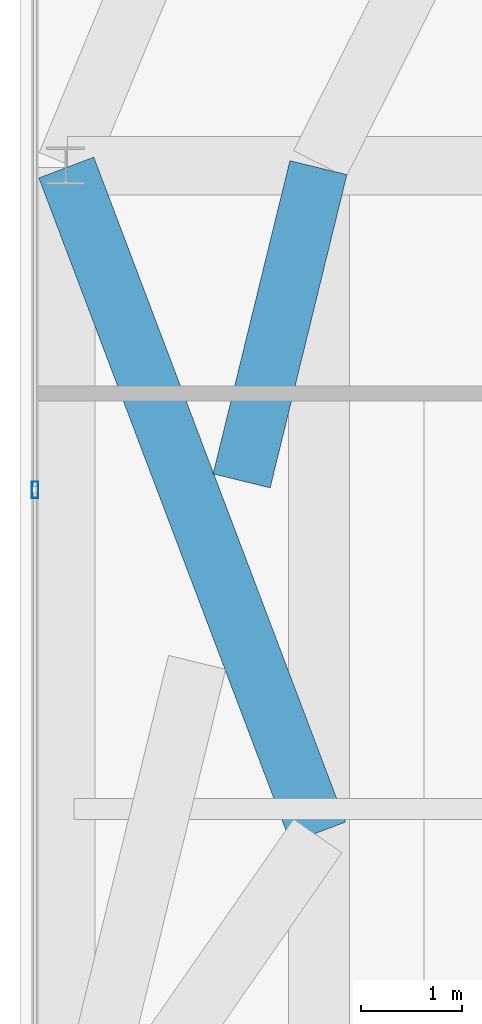
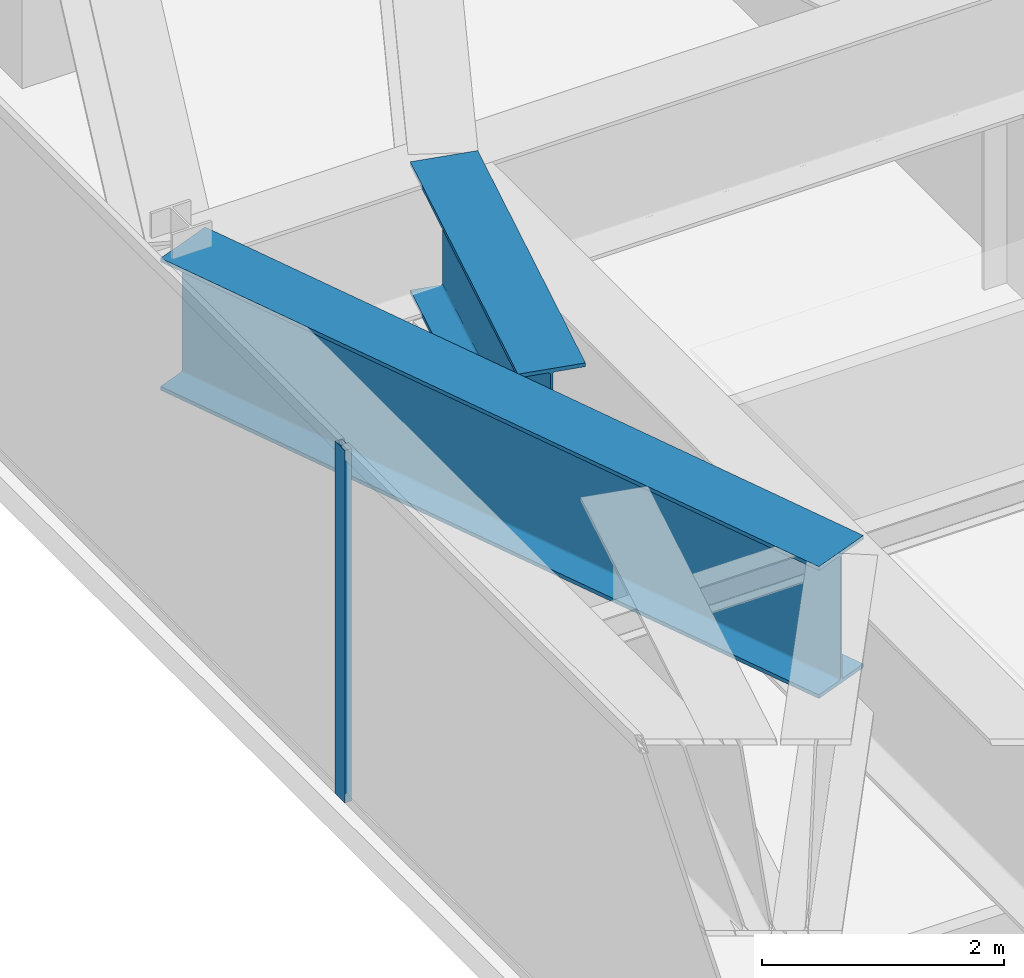
# One storey, part 11 of 26: 2 beams, 1 member, 1 element without a shape of its own.
"""IFC4 building model written with IfcOpenShell, lengths in metres."""

from ifc_helpers import new_model, si_unit, direction, frame, origin, origin_2d, place, context, subcontext, project, spatial, hollow_rectangle, i_section, extrude, source, transform, mapped, material, layer, layer_set, material_profile, profile_set, type_object, type_shapes, element, aggregate, save


model = new_model("IFC4")

# Units and contexts
model_context = context("Model", 3, precision=1e-05, world=origin(), true_north=direction((0.0, 1.0)))
body_context = subcontext(model_context, "Body", "Model", "MODEL_VIEW")
ifc_project = project(units=[si_unit("LENGTHUNIT", "METRE"), si_unit("AREAUNIT", "SQUARE_METRE"), si_unit("VOLUMEUNIT", "CUBIC_METRE"), si_unit("PLANEANGLEUNIT", "RADIAN"), si_unit("MASSUNIT", "GRAM", prefix="KILO")], contexts=[model_context])

# Site, building, storey
site_placement = place(None, origin())
site = spatial("IfcSite", under=ifc_project, at=site_placement, CompositionType="ELEMENT")
building_placement = place(site_placement, origin())
building = spatial("IfcBuilding", under=site, at=building_placement, Name="Varnel Quay Broadcast Tower", CompositionType="ELEMENT")
storey_placement = place(building_placement, frame((0.0, 0.0, 196.0)))
storey = spatial("IfcBuildingStorey", under=building, at=storey_placement, Name="L48", CompositionType="ELEMENT", Elevation=196.0)

# Beams
ifc_material_1 = material(Name="Structural Steel CSA G40.21 350WT", Category="steel")
ifc_material_profile_1 = material_profile(ifc_material_1, i_section(OverallWidth=0.580078125, OverallDepth=1.330078125, WebThickness=0.02197265625, FlangeThickness=0.0380859375, FilletRadius=0.02001953125, at=origin_2d()), Name="WWF1330X535")
ifc_profile_set_1 = profile_set([ifc_material_profile_1], Name="Structural Steel CSA G40.21 350WT")
beam_type = type_object("IfcBeamType", Name="Girder_WWF1330X535", PredefinedType="BEAM", material=ifc_profile_set_1)
shared_shape_1 = source(origin(), body_context, "Body", "SweptSolid", [
    extrude(i_section(OverallWidth=0.580078125, OverallDepth=1.330078125, WebThickness=0.02197265625, FlangeThickness=0.0380859375, FilletRadius=0.02001953125, at=origin_2d()), origin(), (0.0, 0.0, 1.0), 7.017578125),
])
beam_1_placement = place(storey_placement, frame((7.45703125, 35.581298828125, 2.885009765625), z_axis=(0.354232594373, -0.935157349906, 0.0), x_axis=(0.935157349906, 0.354232594373, 0.0)))
element("IfcBeam", 1, at=beam_1_placement, inside=storey, type_object=beam_type, Name="L48 X-Braced Transfer Tie TC-W2-TC-W3", PredefinedType="BEAM", context=body_context, shape_type="MappedRepresentation", body=[
    mapped(shared_shape_1, transform((0.0, 0.0, 0.0), x_axis=(1.0, 0.0, 0.0), y_axis=(0.0, 1.0, 0.0), z_axis=(0.0, 0.0, 1.0), scale=1.0)),
])
shared_shape_2 = source(origin(), body_context, "Body", "SweptSolid", [
    extrude(i_section(OverallWidth=0.580078125, OverallDepth=1.330078125, WebThickness=0.02197265625, FlangeThickness=0.0380859375, FilletRadius=0.02001953125, at=origin_2d()), origin(), (0.0, 0.0, 1.0), 3.183349609375),
])
type_shapes(beam_type, [shared_shape_1, shared_shape_2])
beam_2_placement = place(storey_placement, frame((9.1875, 32.48876953125, 2.885009765625), z_axis=(0.238057732291, 0.971251005712, 0.0), x_axis=(-0.971251005712, 0.238057732291, 0.0)))
element("IfcBeam", 2, at=beam_2_placement, inside=storey, type_object=beam_type, Name="L48 X-Braced Transfer Tie TC-W3-TC-W2 Part 2", PredefinedType="BEAM", context=body_context, shape_type="MappedRepresentation", body=[
    mapped(shared_shape_2, transform((0.0, 0.0, 0.0), x_axis=(1.0, 0.0, 0.0), y_axis=(0.0, 1.0, 0.0), z_axis=(0.0, 0.0, 1.0), scale=1.0)),
])

# Curtain wall, member
ifc_material_2 = material(Name="Anodised Bronze Aluminium 6063-T6", Category="aluminium")
ifc_layer = layer(ifc_material_2, 0.18994140625, Name="Anodised Bronze Aluminium 6063-T6")
ifc_layer_set = layer_set([ifc_layer], Name="Anodised Bronze Aluminium 6063-T6")
curtain_wall_type = type_object("IfcCurtainWallType", Name="CW_UpperTower", PredefinedType="NOTDEFINED", material=ifc_layer_set)
curtain_wall_placement = place(storey_placement, origin())
curtain_wall = element("IfcCurtainWall", 3, at=curtain_wall_placement, inside=storey, type_object=curtain_wall_type, Name="L48 West Unitised Curtain Wall", PredefinedType="NOTDEFINED")
ifc_material_profile_2 = material_profile(ifc_material_2, hollow_rectangle(XDim=0.06494140625, YDim=0.1650390625, WallThickness=0.00341796875, at=origin_2d()), Name="ALU65X165X3.5")
ifc_profile_set_2 = profile_set([ifc_material_profile_2], Name="Anodised Bronze Aluminium 6063-T6")
member_type = type_object("IfcMemberType", Name="Mull_CWS-03", PredefinedType="MULLION", material=ifc_profile_set_2)
shared_shape_3 = source(origin(), body_context, "Body", "SweptSolid", [
    extrude(hollow_rectangle(XDim=0.06494140625, YDim=0.1650390625, WallThickness=0.00341796875, at=origin_2d()), origin(), (0.0, 0.0, 1.0), 3.550048828125),
])
type_shapes(member_type, [shared_shape_3])
member_placement = place(storey_placement, frame((7.14990234375, 32.39990234375, 0.0), z_axis=(0.0, 0.0, 1.0), x_axis=(-1.0, 0.0, 0.0)))
member = element("IfcMember", 4, at=member_placement, type_object=member_type, Name="CWS-03 mullion 3", PredefinedType="MULLION", context=body_context, shape_type="MappedRepresentation", body=[
    mapped(shared_shape_3, transform((0.0, 0.0, 0.0), x_axis=(1.0, 0.0, 0.0), y_axis=(0.0, 1.0, 0.0), z_axis=(0.0, 0.0, 1.0), scale=1.0)),
])
aggregate(curtain_wall, [member])

save(model, "model.ifc")
